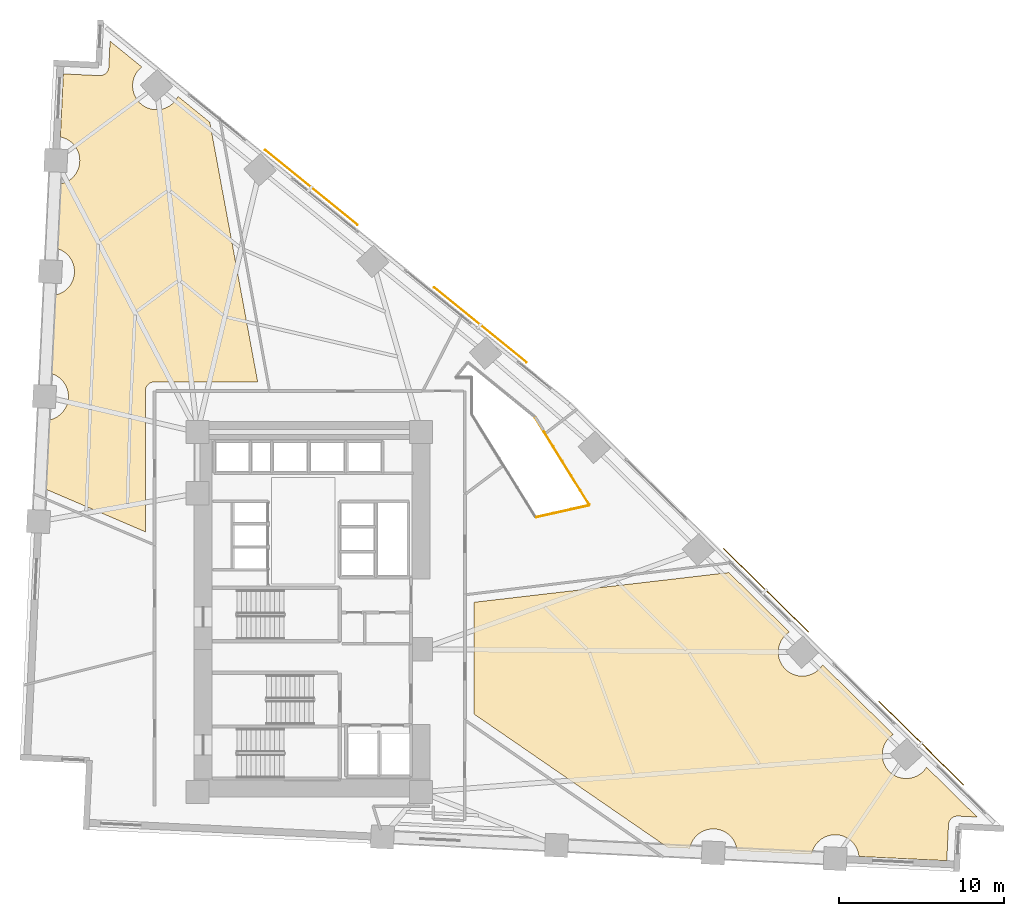
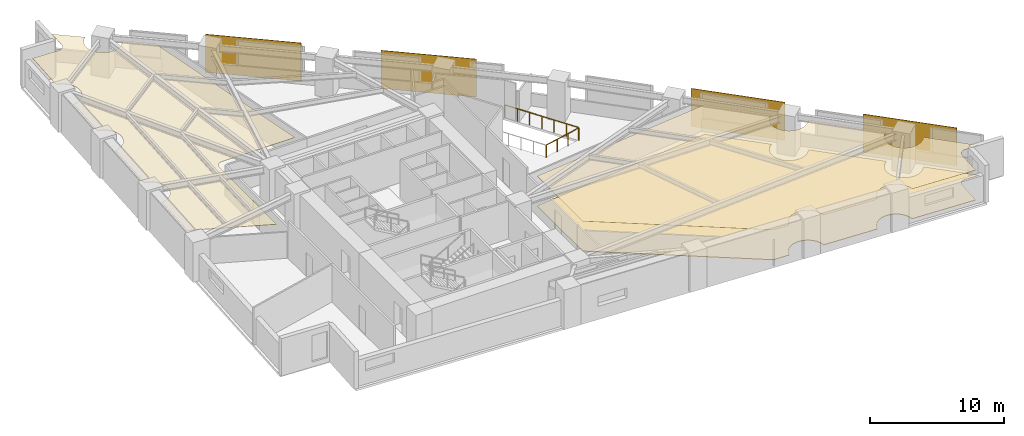
# One storey, part 17 of 17: 4 shading devices, 3 coverings, 2 railings.
"""IFC4 building model written with IfcOpenShell, lengths in metres."""

from ifc_helpers import new_model, si_unit, direction, frame, origin, origin_2d, place, context, subcontext, project, spatial, polyline, rectangle, circle, outline, extrude, material, layer, layer_set, type_object, element, save


model = new_model("IFC4")

# Units and contexts
model_context = context("Model", 3, precision=1e-05, world=origin(), true_north=direction((0.0, 1.0)))
body_context = subcontext(model_context, "Body", "Model", "MODEL_VIEW")
ifc_project = project(units=[si_unit("LENGTHUNIT", "METRE"), si_unit("AREAUNIT", "SQUARE_METRE"), si_unit("VOLUMEUNIT", "CUBIC_METRE"), si_unit("PLANEANGLEUNIT", "RADIAN"), si_unit("MASSUNIT", "GRAM", prefix="KILO")], contexts=[model_context])

# Site, building, storey
site_placement = place(None, origin())
site = spatial("IfcSite", under=ifc_project, at=site_placement, CompositionType="ELEMENT")
building_placement = place(site_placement, origin())
building = spatial("IfcBuilding", under=site, at=building_placement, Name="Narakoshi Arena Tower", CompositionType="ELEMENT")
storey_placement = place(building_placement, frame((0.0, 0.0, 30.300048828125)))
storey = spatial("IfcBuildingStorey", under=building, at=storey_placement, Name="L07", CompositionType="ELEMENT", Elevation=30.300048828125)

# Coverings
ifc_material_1 = material(Name="Acoustic mineral-fibre ceiling tile")
ifc_layer_1 = layer(ifc_material_1, 0.02001953125)
ifc_layer_set_1 = layer_set([ifc_layer_1], Name="Acoustic mineral-fibre ceiling tile")
covering_type_1 = type_object("IfcCoveringType", Name="COV-CLG-AC20", PredefinedType="CEILING", material=ifc_layer_set_1)
covering_1_placement = place(storey_placement, frame((0.0, 0.0, 2.72998046875)))
element("IfcCovering", 1, at=covering_1_placement, inside=storey, type_object=covering_type_1, Name="L07 Suspended Acoustic Ceiling 1", PredefinedType="CEILING", context=body_context, shape_type="SweptSolid", body=[
    extrude(outline(polyline([(118.080810546875, 33.24267578125), (118.02685546875, 33.24267578125), (117.97314453125, 33.2373046875), (117.920166015625, 33.226806640625), (117.868408203125, 33.2109375), (117.818603515625, 33.190185546875), (117.77099609375, 33.164794921875), (117.726318359375, 33.134765625), (117.6845703125, 33.100341796875), (117.646484375, 33.062255859375), (117.6123046875, 33.0205078125), (117.582275390625, 32.9755859375), (117.556884765625, 32.927978515625), (117.536376953125, 32.8779296875), (117.520751953125, 32.826416015625), (117.51025390625, 32.7734375), (117.5048828125, 32.7197265625), (117.400390625, 30.542236328125), (112.07958984375, 30.7978515625), (112.079345703125, 30.803955078125), (112.05859375, 30.94482421875), (112.02392578125, 31.082763671875), (111.97607421875, 31.216796875), (111.915283203125, 31.345458984375), (111.842041015625, 31.467529296875), (111.75732421875, 31.581787109375), (111.66162109375, 31.687255859375), (111.556396484375, 31.78271484375), (111.44189453125, 31.867431640625), (111.31982421875, 31.940673828125), (111.19140625, 32.00146484375), (111.057373046875, 32.049560546875), (110.919189453125, 32.083984375), (110.778564453125, 32.10498046875), (110.636474609375, 32.11181640625), (110.494384765625, 32.10498046875), (110.353515625, 32.083984375), (110.215576171875, 32.049560546875), (110.08154296875, 32.00146484375), (109.952880859375, 31.940673828125), (109.830810546875, 31.867431640625), (109.716552734375, 31.78271484375), (109.611083984375, 31.687255859375), (109.515380859375, 31.581787109375), (109.430908203125, 31.467529296875), (109.357666015625, 31.345458984375), (109.296875, 31.216796875), (109.248779296875, 31.082763671875), (109.21435546875, 30.94482421875), (109.212890625, 30.935546875), (104.6962890625, 31.152587890625), (104.69580078125, 31.15869140625), (104.675048828125, 31.29931640625), (104.640380859375, 31.4375), (104.592529296875, 31.5712890625), (104.53173828125, 31.699951171875), (104.45849609375, 31.822021484375), (104.373779296875, 31.936279296875), (104.2783203125, 32.041748046875), (104.1728515625, 32.137451171875), (104.05859375, 32.22216796875), (103.936279296875, 32.29541015625), (103.807861328125, 32.356201171875), (103.673828125, 32.404052734375), (103.535888671875, 32.438720703125), (103.39501953125, 32.45947265625), (103.2529296875, 32.466552734375), (103.11083984375, 32.45947265625), (102.969970703125, 32.438720703125), (102.83203125, 32.404052734375), (102.697998046875, 32.356201171875), (102.5693359375, 32.29541015625), (102.447265625, 32.22216796875), (102.3330078125, 32.137451171875), (102.2275390625, 32.041748046875), (102.132080078125, 31.936279296875), (102.04736328125, 31.822021484375), (101.97412109375, 31.699951171875), (101.913330078125, 31.5712890625), (101.865234375, 31.4375), (101.830810546875, 31.29931640625), (101.829345703125, 31.290283203125), (100.47900390625, 31.35498046875), (88.759521484375, 39.4248046875), (88.759521484375, 46.1953125), (104.200927734375, 47.99560546875), (107.861328125, 44.391357421875), (107.838134765625, 44.37744140625), (107.723876953125, 44.292724609375), (107.618408203125, 44.197265625), (107.52294921875, 44.091796875), (107.438232421875, 43.9775390625), (107.364990234375, 43.85546875), (107.30419921875, 43.726806640625), (107.256103515625, 43.5927734375), (107.2216796875, 43.454833984375), (107.20068359375, 43.31396484375), (107.19384765625, 43.171875), (107.20068359375, 43.02978515625), (107.2216796875, 42.888916015625), (107.256103515625, 42.7509765625), (107.30419921875, 42.616943359375), (107.364990234375, 42.48828125), (107.438232421875, 42.3662109375), (107.52294921875, 42.251953125), (107.618408203125, 42.146484375), (107.723876953125, 42.051025390625), (107.838134765625, 41.96630859375), (107.960205078125, 41.89306640625), (108.0888671875, 41.832275390625), (108.222900390625, 41.7841796875), (108.36083984375, 41.749755859375), (108.501708984375, 41.72900390625), (108.643798828125, 41.721923828125), (108.785888671875, 41.72900390625), (108.9267578125, 41.749755859375), (109.064697265625, 41.7841796875), (109.19873046875, 41.832275390625), (109.327392578125, 41.89306640625), (109.449462890625, 41.96630859375), (109.563720703125, 42.051025390625), (109.669189453125, 42.146484375), (109.7646484375, 42.251953125), (109.849365234375, 42.3662109375), (109.875, 42.40869140625), (114.159912109375, 38.189453125), (114.13671875, 38.175537109375), (114.022216796875, 38.0908203125), (113.9169921875, 37.9951171875), (113.8212890625, 37.889892578125), (113.736572265625, 37.775390625), (113.663330078125, 37.6533203125), (113.6025390625, 37.52490234375), (113.5546875, 37.390869140625), (113.52001953125, 37.252685546875), (113.499267578125, 37.112060546875), (113.4921875, 36.969970703125), (113.499267578125, 36.827880859375), (113.52001953125, 36.68701171875), (113.5546875, 36.549072265625), (113.6025390625, 36.4150390625), (113.663330078125, 36.286376953125), (113.736572265625, 36.164306640625), (113.8212890625, 36.050048828125), (113.9169921875, 35.944580078125), (114.022216796875, 35.84912109375), (114.13671875, 35.764404296875), (114.2587890625, 35.691162109375), (114.38720703125, 35.63037109375), (114.521240234375, 35.582275390625), (114.6591796875, 35.5478515625), (114.800048828125, 35.52685546875), (114.942138671875, 35.52001953125), (115.084228515625, 35.52685546875), (115.22509765625, 35.5478515625), (115.363037109375, 35.582275390625), (115.4970703125, 35.63037109375), (115.625732421875, 35.691162109375), (115.747802734375, 35.764404296875), (115.862060546875, 35.84912109375), (115.967529296875, 35.944580078125), (116.06298828125, 36.050048828125), (116.147705078125, 36.164306640625), (116.17333984375, 36.206787109375), (119.239990234375, 33.18701171875), (118.080810546875, 33.24267578125)])), origin(), (0.0, 0.0, 1.0), 0.02001953125),
])
ifc_material_2 = material(Name="Slatted oak acoustic timber baffle", Category="wood")
ifc_layer_2 = layer(ifc_material_2, 0.034912109375)
ifc_layer_set_2 = layer_set([ifc_layer_2], Name="Slatted oak acoustic timber baffle")
covering_type_2 = type_object("IfcCoveringType", Name="COV-CLG-WD35", PredefinedType="CEILING", material=ifc_layer_set_2)
covering_2_placement = place(storey_placement, frame((0.0, 0.0, 2.71484375)))
element("IfcCovering", 2, at=covering_2_placement, inside=storey, type_object=covering_type_2, Name="L07 Suspended Acoustic Ceiling 2", PredefinedType="CEILING", context=body_context, shape_type="SweptSolid", body=[
    extrude(outline(polyline([(66.1171875, 78.10009765625), (66.1708984375, 78.10546875), (66.2236328125, 78.1162109375), (66.275390625, 78.1318359375), (66.3251953125, 78.152587890625), (66.372802734375, 78.177978515625), (66.41748046875, 78.2080078125), (66.459228515625, 78.242431640625), (66.497314453125, 78.280517578125), (66.531494140625, 78.322265625), (66.5615234375, 78.3671875), (66.5869140625, 78.414794921875), (66.607666015625, 78.46484375), (66.623291015625, 78.516357421875), (66.633544921875, 78.5693359375), (66.638916015625, 78.623046875), (66.7138671875, 80.185302734375), (68.63623046875, 78.622802734375), (68.611083984375, 78.60400390625), (68.505615234375, 78.508544921875), (68.41015625, 78.403076171875), (68.325439453125, 78.288818359375), (68.252197265625, 78.166748046875), (68.19140625, 78.0380859375), (68.143310546875, 77.904052734375), (68.10888671875, 77.76611328125), (68.087890625, 77.625244140625), (68.0810546875, 77.483154296875), (68.087890625, 77.341064453125), (68.10888671875, 77.2001953125), (68.143310546875, 77.062255859375), (68.19140625, 76.92822265625), (68.252197265625, 76.7998046875), (68.325439453125, 76.677490234375), (68.41015625, 76.563232421875), (68.505615234375, 76.4580078125), (68.611083984375, 76.3623046875), (68.725341796875, 76.277587890625), (68.847412109375, 76.204345703125), (68.97607421875, 76.1435546875), (69.110107421875, 76.095703125), (69.248046875, 76.06103515625), (69.388916015625, 76.040283203125), (69.531005859375, 76.033203125), (69.673095703125, 76.040283203125), (69.81396484375, 76.06103515625), (69.951904296875, 76.095703125), (70.0859375, 76.1435546875), (70.214599609375, 76.204345703125), (70.336669921875, 76.277587890625), (70.450927734375, 76.3623046875), (70.556396484375, 76.4580078125), (70.65185546875, 76.563232421875), (70.736572265625, 76.677490234375), (70.809814453125, 76.7998046875), (70.8291015625, 76.84033203125), (72.75537109375, 75.274658203125), (75.656005859375, 59.547607421875), (69.402587890625, 59.547607421875), (69.3486328125, 59.544921875), (69.295166015625, 59.536865234375), (69.242919921875, 59.523681640625), (69.19189453125, 59.505615234375), (69.143310546875, 59.482666015625), (69.096923828125, 59.454833984375), (69.0537109375, 59.422607421875), (69.013671875, 59.386474609375), (68.977294921875, 59.346435546875), (68.9453125, 59.302978515625), (68.91748046875, 59.2568359375), (68.894287109375, 59.2080078125), (68.876220703125, 59.1572265625), (68.863037109375, 59.104736328125), (68.85498046875, 59.051513671875), (68.8525390625, 58.99755859375), (68.8525390625, 50.46435546875), (62.679931640625, 53.103515625), (62.87744140625, 57.2158203125), (62.8837890625, 57.216064453125), (63.0244140625, 57.23681640625), (63.16259765625, 57.271484375), (63.29638671875, 57.3193359375), (63.425048828125, 57.380126953125), (63.547119140625, 57.453369140625), (63.66162109375, 57.5380859375), (63.766845703125, 57.6337890625), (63.862548828125, 57.739013671875), (63.947265625, 57.853515625), (64.0205078125, 57.9755859375), (64.081298828125, 58.10400390625), (64.129150390625, 58.238037109375), (64.163818359375, 58.376220703125), (64.1845703125, 58.516845703125), (64.191650390625, 58.658935546875), (64.1845703125, 58.801025390625), (64.163818359375, 58.94189453125), (64.129150390625, 59.079833984375), (64.081298828125, 59.2138671875), (64.0205078125, 59.342529296875), (63.947265625, 59.464599609375), (63.862548828125, 59.578857421875), (63.766845703125, 59.684326171875), (63.66162109375, 59.77978515625), (63.547119140625, 59.864501953125), (63.425048828125, 59.937744140625), (63.29638671875, 59.99853515625), (63.16259765625, 60.046630859375), (63.0244140625, 60.0810546875), (63.01513671875, 60.08251953125), (63.240966796875, 64.784912109375), (63.247314453125, 64.785400390625), (63.387939453125, 64.80615234375), (63.52587890625, 64.8408203125), (63.659912109375, 64.888671875), (63.78857421875, 64.949462890625), (63.91064453125, 65.022705078125), (64.02490234375, 65.107421875), (64.13037109375, 65.202880859375), (64.22607421875, 65.308349609375), (64.310791015625, 65.422607421875), (64.3837890625, 65.544921875), (64.444580078125, 65.67333984375), (64.49267578125, 65.807373046875), (64.527099609375, 65.9453125), (64.548095703125, 66.086181640625), (64.55517578125, 66.228271484375), (64.548095703125, 66.370361328125), (64.527099609375, 66.51123046875), (64.49267578125, 66.649169921875), (64.444580078125, 66.783203125), (64.3837890625, 66.911865234375), (64.310791015625, 67.033935546875), (64.22607421875, 67.148193359375), (64.13037109375, 67.253662109375), (64.02490234375, 67.34912109375), (63.91064453125, 67.433837890625), (63.78857421875, 67.507080078125), (63.659912109375, 67.56787109375), (63.52587890625, 67.615966796875), (63.387939453125, 67.650390625), (63.37890625, 67.65185546875), (63.564208984375, 71.51318359375), (63.5703125, 71.513671875), (63.711181640625, 71.534423828125), (63.84912109375, 71.569091796875), (63.983154296875, 71.616943359375), (64.11181640625, 71.677734375), (64.23388671875, 71.7509765625), (64.34814453125, 71.835693359375), (64.45361328125, 71.931396484375), (64.54931640625, 72.03662109375), (64.6337890625, 72.15087890625), (64.70703125, 72.273193359375), (64.767822265625, 72.401611328125), (64.81591796875, 72.53564453125), (64.850341796875, 72.673583984375), (64.871337890625, 72.814453125), (64.87841796875, 72.95654296875), (64.871337890625, 73.0986328125), (64.850341796875, 73.239501953125), (64.81591796875, 73.37744140625), (64.767822265625, 73.511474609375), (64.70703125, 73.64013671875), (64.6337890625, 73.76220703125), (64.54931640625, 73.87646484375), (64.45361328125, 73.98193359375), (64.34814453125, 74.077392578125), (64.23388671875, 74.162109375), (64.11181640625, 74.2353515625), (63.983154296875, 74.296142578125), (63.84912109375, 74.34423828125), (63.711181640625, 74.378662109375), (63.701904296875, 74.380126953125), (63.8857421875, 78.20458984375), (66.06298828125, 78.10009765625), (66.1171875, 78.10009765625)])), origin(), (0.0, 0.0, 1.0), 0.03515625),
])
ifc_material_3 = material(Name="Raised steel access floor panel", Category="steel")
ifc_layer_3 = layer(ifc_material_3, 0.044921875)
ifc_layer_set_3 = layer_set([ifc_layer_3], Name="Raised steel access floor panel")
covering_type_3 = type_object("IfcCoveringType", Name="COV-FLR-RF45", PredefinedType="FLOORING", material=ifc_layer_set_3)
covering_3_placement = place(storey_placement, origin())
element("IfcCovering", 3, at=covering_3_placement, inside=storey, type_object=covering_type_3, Name="L07 Raised Steel Access Floor", PredefinedType="FLOORING", context=body_context, shape_type="SweptSolid", body=[
    extrude(outline(polyline([(118.080810546875, 33.24267578125), (118.02685546875, 33.24267578125), (117.97314453125, 33.2373046875), (117.920166015625, 33.226806640625), (117.868408203125, 33.2109375), (117.818603515625, 33.190185546875), (117.77099609375, 33.164794921875), (117.726318359375, 33.134765625), (117.6845703125, 33.100341796875), (117.646484375, 33.062255859375), (117.6123046875, 33.0205078125), (117.582275390625, 32.9755859375), (117.556884765625, 32.927978515625), (117.536376953125, 32.8779296875), (117.520751953125, 32.826416015625), (117.51025390625, 32.7734375), (117.5048828125, 32.7197265625), (117.400390625, 30.542236328125), (112.07958984375, 30.7978515625), (112.079345703125, 30.803955078125), (112.05859375, 30.94482421875), (112.02392578125, 31.082763671875), (111.97607421875, 31.216796875), (111.915283203125, 31.345458984375), (111.842041015625, 31.467529296875), (111.75732421875, 31.581787109375), (111.66162109375, 31.687255859375), (111.556396484375, 31.78271484375), (111.44189453125, 31.867431640625), (111.31982421875, 31.940673828125), (111.19140625, 32.00146484375), (111.057373046875, 32.049560546875), (110.919189453125, 32.083984375), (110.778564453125, 32.10498046875), (110.636474609375, 32.11181640625), (110.494384765625, 32.10498046875), (110.353515625, 32.083984375), (110.215576171875, 32.049560546875), (110.08154296875, 32.00146484375), (109.952880859375, 31.940673828125), (109.830810546875, 31.867431640625), (109.716552734375, 31.78271484375), (109.611083984375, 31.687255859375), (109.515380859375, 31.581787109375), (109.430908203125, 31.467529296875), (109.357666015625, 31.345458984375), (109.296875, 31.216796875), (109.248779296875, 31.082763671875), (109.21435546875, 30.94482421875), (109.212890625, 30.935546875), (104.6962890625, 31.152587890625), (104.69580078125, 31.15869140625), (104.675048828125, 31.29931640625), (104.640380859375, 31.4375), (104.592529296875, 31.5712890625), (104.53173828125, 31.699951171875), (104.45849609375, 31.822021484375), (104.373779296875, 31.936279296875), (104.2783203125, 32.041748046875), (104.1728515625, 32.137451171875), (104.05859375, 32.22216796875), (103.936279296875, 32.29541015625), (103.807861328125, 32.356201171875), (103.673828125, 32.404052734375), (103.535888671875, 32.438720703125), (103.39501953125, 32.45947265625), (103.2529296875, 32.466552734375), (103.11083984375, 32.45947265625), (102.969970703125, 32.438720703125), (102.83203125, 32.404052734375), (102.697998046875, 32.356201171875), (102.5693359375, 32.29541015625), (102.447265625, 32.22216796875), (102.3330078125, 32.137451171875), (102.2275390625, 32.041748046875), (102.132080078125, 31.936279296875), (102.04736328125, 31.822021484375), (101.97412109375, 31.699951171875), (101.913330078125, 31.5712890625), (101.865234375, 31.4375), (101.830810546875, 31.29931640625), (101.829345703125, 31.290283203125), (100.47900390625, 31.35498046875), (88.759521484375, 39.4248046875), (88.759521484375, 46.1953125), (104.200927734375, 47.99560546875), (107.861328125, 44.391357421875), (107.838134765625, 44.37744140625), (107.723876953125, 44.292724609375), (107.618408203125, 44.197265625), (107.52294921875, 44.091796875), (107.438232421875, 43.9775390625), (107.364990234375, 43.85546875), (107.30419921875, 43.726806640625), (107.256103515625, 43.5927734375), (107.2216796875, 43.454833984375), (107.20068359375, 43.31396484375), (107.19384765625, 43.171875), (107.20068359375, 43.02978515625), (107.2216796875, 42.888916015625), (107.256103515625, 42.7509765625), (107.30419921875, 42.616943359375), (107.364990234375, 42.48828125), (107.438232421875, 42.3662109375), (107.52294921875, 42.251953125), (107.618408203125, 42.146484375), (107.723876953125, 42.051025390625), (107.838134765625, 41.96630859375), (107.960205078125, 41.89306640625), (108.0888671875, 41.832275390625), (108.222900390625, 41.7841796875), (108.36083984375, 41.749755859375), (108.501708984375, 41.72900390625), (108.643798828125, 41.721923828125), (108.785888671875, 41.72900390625), (108.9267578125, 41.749755859375), (109.064697265625, 41.7841796875), (109.19873046875, 41.832275390625), (109.327392578125, 41.89306640625), (109.449462890625, 41.96630859375), (109.563720703125, 42.051025390625), (109.669189453125, 42.146484375), (109.7646484375, 42.251953125), (109.849365234375, 42.3662109375), (109.875, 42.40869140625), (114.159912109375, 38.189453125), (114.13671875, 38.175537109375), (114.022216796875, 38.0908203125), (113.9169921875, 37.9951171875), (113.8212890625, 37.889892578125), (113.736572265625, 37.775390625), (113.663330078125, 37.6533203125), (113.6025390625, 37.52490234375), (113.5546875, 37.390869140625), (113.52001953125, 37.252685546875), (113.499267578125, 37.112060546875), (113.4921875, 36.969970703125), (113.499267578125, 36.827880859375), (113.52001953125, 36.68701171875), (113.5546875, 36.549072265625), (113.6025390625, 36.4150390625), (113.663330078125, 36.286376953125), (113.736572265625, 36.164306640625), (113.8212890625, 36.050048828125), (113.9169921875, 35.944580078125), (114.022216796875, 35.84912109375), (114.13671875, 35.764404296875), (114.2587890625, 35.691162109375), (114.38720703125, 35.63037109375), (114.521240234375, 35.582275390625), (114.6591796875, 35.5478515625), (114.800048828125, 35.52685546875), (114.942138671875, 35.52001953125), (115.084228515625, 35.52685546875), (115.22509765625, 35.5478515625), (115.363037109375, 35.582275390625), (115.4970703125, 35.63037109375), (115.625732421875, 35.691162109375), (115.747802734375, 35.764404296875), (115.862060546875, 35.84912109375), (115.967529296875, 35.944580078125), (116.06298828125, 36.050048828125), (116.147705078125, 36.164306640625), (116.17333984375, 36.206787109375), (119.239990234375, 33.18701171875), (118.080810546875, 33.24267578125)])), origin(), (0.0, 0.0, 1.0), 0.044921875),
])

# Railings
ifc_material_4 = material(Name="Brushed bronze stainless steel", Category="steel")
railing_type = type_object("IfcRailingType", Name="RL-GRD-1150", PredefinedType="GUARDRAIL", material=ifc_material_4)
railing_1_placement = place(storey_placement, frame((92.4658203125, 57.3818359375, 0.0)))
element("IfcRailing", 4, at=railing_1_placement, inside=storey, type_object=railing_type, Name="L07 Sky-Garden Atrium Void Guardrail 6", PredefinedType="GUARDRAIL", context=body_context, shape_type="SweptSolid", body=[
    extrude(circle(Radius=0.02392578125, at=origin_2d()), frame((0.0, 0.0, 1.1259765625), z_axis=(0.527635914903, -0.849470624157, 0.0), x_axis=(0.849470624157, 0.527635914903, 0.0)), (0.0, 0.0, 1.0), 6.208984375),
    extrude(circle(Radius=0.02099609375, at=origin_2d()), origin(), (0.0, 0.0, 1.0), 1.101806640625),
    extrude(circle(Radius=0.02099609375, at=origin_2d()), frame((0.5458984375, -0.879150390625, 0.0)), (0.0, 0.0, 1.0), 1.101806640625),
    extrude(circle(Radius=0.02099609375, at=origin_2d()), frame((1.092041015625, -1.758056640625, 0.0)), (0.0, 0.0, 1.0), 1.101806640625),
    extrude(circle(Radius=0.02099609375, at=origin_2d()), frame((1.63818359375, -2.63720703125, 0.0)), (0.0, 0.0, 1.0), 1.101806640625),
    extrude(circle(Radius=0.02099609375, at=origin_2d()), frame((2.18408203125, -3.516357421875, 0.0)), (0.0, 0.0, 1.0), 1.101806640625),
    extrude(circle(Radius=0.02099609375, at=origin_2d()), frame((2.72998046875, -4.395263671875, 0.0)), (0.0, 0.0, 1.0), 1.101806640625),
    extrude(circle(Radius=0.02099609375, at=origin_2d()), frame((3.276123046875, -5.2744140625, 0.0)), (0.0, 0.0, 1.0), 1.101806640625),
])
railing_2_placement = place(storey_placement, frame((95.72412109375, 52.064453125, 0.0)))
element("IfcRailing", 5, at=railing_2_placement, inside=storey, type_object=railing_type, Name="L07 Sky-Garden Atrium Void Guardrail 7", PredefinedType="GUARDRAIL", context=body_context, shape_type="SweptSolid", body=[
    extrude(circle(Radius=0.02392578125, at=origin_2d()), frame((0.0, 0.0, 1.1259765625), z_axis=(-0.975700925248, -0.219106605264, 0.0), x_axis=(0.219106605264, -0.975700925248, 0.0)), (0.0, 0.0, 1.0), 3.265869140625),
    extrude(circle(Radius=0.02099609375, at=origin_2d()), origin(), (0.0, 0.0, 1.0), 1.101806640625),
    extrude(circle(Radius=0.02099609375, at=origin_2d()), frame((-1.062255859375, -0.238525390625, 0.0)), (0.0, 0.0, 1.0), 1.101806640625),
    extrude(circle(Radius=0.02099609375, at=origin_2d()), frame((-2.124267578125, -0.47705078125, 0.0)), (0.0, 0.0, 1.0), 1.101806640625),
    extrude(circle(Radius=0.02099609375, at=origin_2d()), frame((-3.1865234375, -0.715576171875, 0.0)), (0.0, 0.0, 1.0), 1.101806640625),
])

# Shading devices
ifc_material_5 = material(Name="Perforated bronze ceramic-metal composite")
ifc_layer_4 = layer(ifc_material_5, 0.044921875)
ifc_layer_set_4 = layer_set([ifc_layer_4], Name="Perforated bronze ceramic-metal composite")
shading_device_type = type_object("IfcShadingDeviceType", Name="SHD-SCR-BRZ1", PredefinedType="USERDEFINED", material=ifc_layer_set_4)
for number, where, z_axis, x_axis, name in (
    (6, (115.85498046875, 37.660400390625, 0.0), (0.0, 0.0, 1.0), (-0.712540559713, 0.70163092204, 0.0), "L07 Perforated Bronze Solar Screen 1-1"),
    (7, (106.44970703125, 46.921875, 0.0), (0.0, 0.0, 1.0), (-0.712540559713, 0.70163092204, 0.0), "L07 Perforated Bronze Solar Screen 1-2"),
    (8, (89.14208984375, 63.002685546875, 0.0), (0.0, 0.0, 1.0), (-0.776002375698, 0.630729984154, 0.0), "L07 Perforated Bronze Solar Screen 2-1"),
    (9, (78.898681640625, 71.328369140625, 0.0), (0.0, 0.0, 1.0), (-0.776002375698, 0.630729984154, 0.0), "L07 Perforated Bronze Solar Screen 2-2"),
):
    element("IfcShadingDevice", number, at=place(storey_placement, frame(where, z_axis=z_axis, x_axis=x_axis)), inside=storey, type_object=shading_device_type, Name=name, ObjectType="SOLAR SCREEN", PredefinedType="USERDEFINED", context=body_context, shape_type="SweptSolid", body=[
        extrude(rectangle(XDim=7.199951171875, YDim=0.044921875, at=origin_2d()), origin(), (0.0, 0.0, 1.0), 3.449951171875),
    ])

save(model, "model.ifc")
